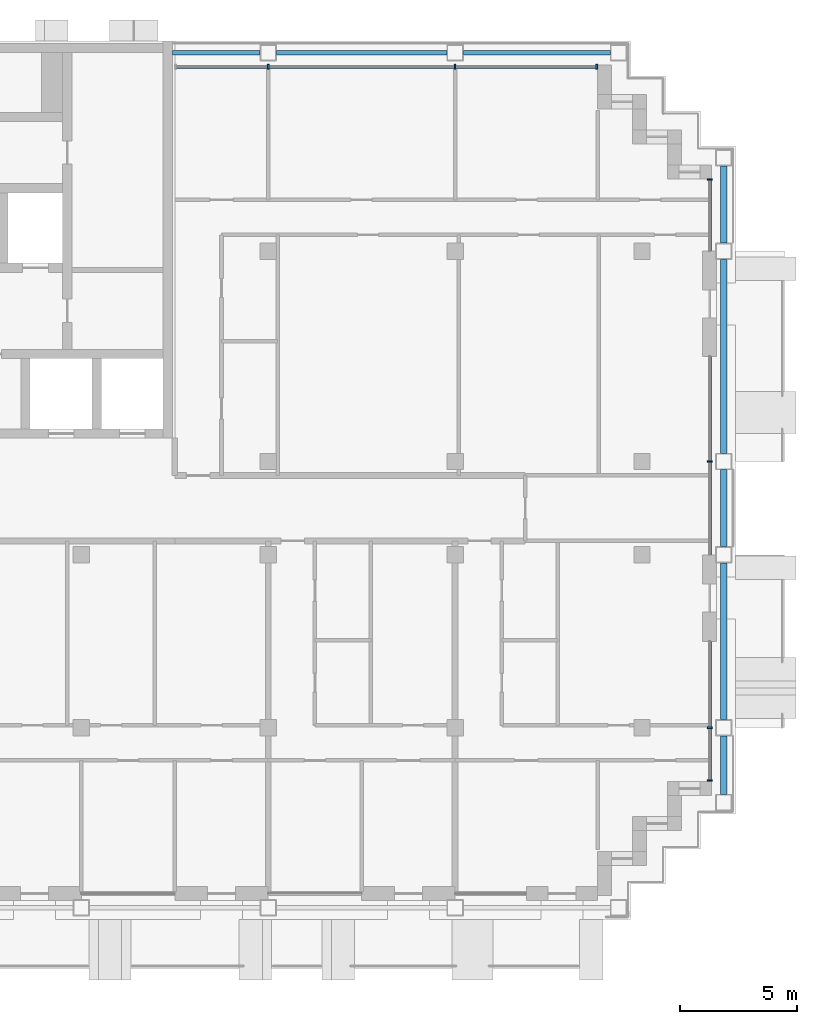
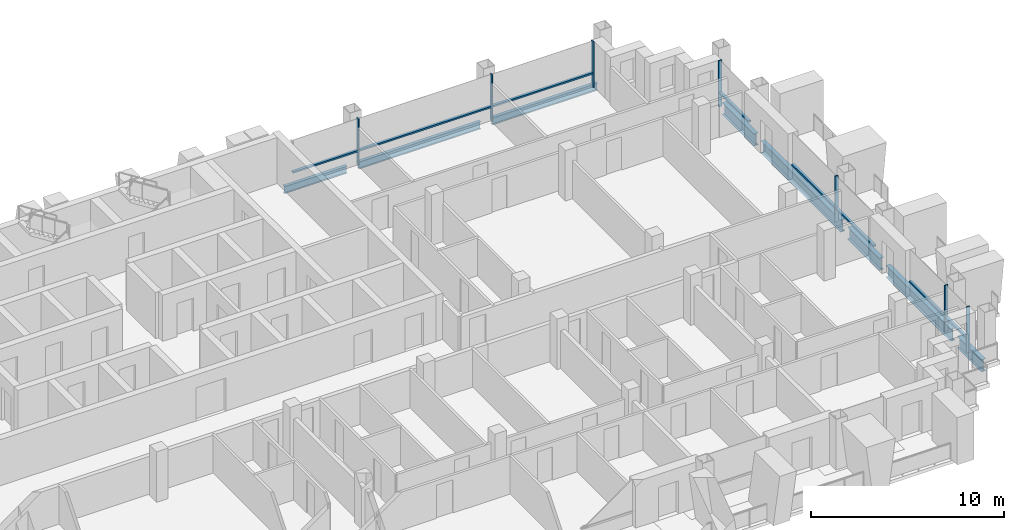
# One storey, part 5 of 16: 15 members, 8 beams, 4 elements without a shape of their own.
"""IFC4 building model written with IfcOpenShell, lengths in metres."""

from ifc_helpers import new_model, si_unit, direction, frame, origin, origin_2d, place, context, subcontext, project, spatial, rectangle, i_section, extrude, material, material_profile, profile_set, type_object, element, aggregate, save


model = new_model("IFC4")

# Units and contexts
model_context = context("Model", 3, precision=1e-05, world=origin(), true_north=direction((0.0, 1.0)))
body_context = subcontext(model_context, "Body", "Model", "MODEL_VIEW")
ifc_project = project(units=[si_unit("LENGTHUNIT", "METRE"), si_unit("AREAUNIT", "SQUARE_METRE"), si_unit("VOLUMEUNIT", "CUBIC_METRE"), si_unit("PLANEANGLEUNIT", "RADIAN"), si_unit("MASSUNIT", "GRAM", prefix="KILO")], contexts=[model_context])

# Site, building, storey
site_placement = place(None, origin())
site = spatial("IfcSite", under=ifc_project, at=site_placement, CompositionType="ELEMENT")
building_placement = place(site_placement, origin())
building = spatial("IfcBuilding", under=site, at=building_placement, Name="Vidyagriha Tower", CompositionType="ELEMENT")
storey_placement = place(building_placement, frame((0.0, 0.0, 178.10009765625)))
storey = spatial("IfcBuildingStorey", under=building, at=storey_placement, Name="L46", CompositionType="ELEMENT", Elevation=178.10009765625)

# Beams
ifc_material_1 = material(Name="Steel ASTM A992 Grade 50", Category="steel")
ifc_material_profile_1 = material_profile(ifc_material_1, i_section(OverallWidth=0.2666015625, OverallDepth=0.76953125, WebThickness=0.015625, FlangeThickness=0.025390625, at=origin_2d()), Name="W30X132")
ifc_profile_set_1 = profile_set([ifc_material_profile_1], Name="Steel ASTM A992 Grade 50")
beam_type_1 = type_object("IfcBeamType", Name="Cantilever edge beam W30X132", PredefinedType="SPANDREL", material=ifc_profile_set_1)
beam_1_placement = place(storey_placement, frame((37.5, -12.25, -0.664794921875), z_axis=(0.0, 1.0, 0.0), x_axis=(-1.0, 0.0, 0.0)))
element("IfcBeam", 1, at=beam_1_placement, inside=storey, type_object=beam_type_1, Name="st-beam-L46-E13", PredefinedType="SPANDREL", context=body_context, shape_type="SweptSolid", body=[
    extrude(i_section(OverallWidth=0.2666015625, OverallDepth=0.76953125, WebThickness=0.015625, FlangeThickness=0.025390625, at=origin_2d()), origin(), (0.0, 0.0, 1.0), 2.5),
])
beam_2_placement = place(storey_placement, frame((37.5, -9.050048828125, -0.664794921875), z_axis=(0.0, 1.0, 0.0), x_axis=(-1.0, 0.0, 0.0)))
element("IfcBeam", 2, at=beam_2_placement, inside=storey, type_object=beam_type_1, Name="st-beam-L46-E14", PredefinedType="SPANDREL", context=body_context, shape_type="SweptSolid", body=[
    extrude(i_section(OverallWidth=0.2666015625, OverallDepth=0.76953125, WebThickness=0.015625, FlangeThickness=0.025390625, at=origin_2d()), origin(), (0.0, 0.0, 1.0), 6.699951171875),
])
beam_3_placement = place(storey_placement, frame((37.5, -1.64990234375, -0.664794921875), z_axis=(0.0, 1.0, 0.0), x_axis=(-1.0, 0.0, 0.0)))
element("IfcBeam", 3, at=beam_3_placement, inside=storey, type_object=beam_type_1, Name="st-beam-L46-E15", PredefinedType="SPANDREL", context=body_context, shape_type="SweptSolid", body=[
    extrude(i_section(OverallWidth=0.2666015625, OverallDepth=0.76953125, WebThickness=0.015625, FlangeThickness=0.025390625, at=origin_2d()), origin(), (0.0, 0.0, 1.0), 3.2998046875),
])
beam_4_placement = place(storey_placement, frame((37.5, 2.35009765625, -0.664794921875), z_axis=(0.0, 1.0, 0.0), x_axis=(-1.0, 0.0, 0.0)))
element("IfcBeam", 4, at=beam_4_placement, inside=storey, type_object=beam_type_1, Name="st-beam-L46-E16", PredefinedType="SPANDREL", context=body_context, shape_type="SweptSolid", body=[
    extrude(i_section(OverallWidth=0.2666015625, OverallDepth=0.76953125, WebThickness=0.015625, FlangeThickness=0.025390625, at=origin_2d()), origin(), (0.0, 0.0, 1.0), 8.2998046875),
])
beam_5_placement = place(storey_placement, frame((37.5, 11.35009765625, -0.664794921875), z_axis=(0.0, 1.0, 0.0), x_axis=(-1.0, 0.0, 0.0)))
element("IfcBeam", 5, at=beam_5_placement, inside=storey, type_object=beam_type_1, Name="st-beam-L46-E17", PredefinedType="SPANDREL", context=body_context, shape_type="SweptSolid", body=[
    extrude(i_section(OverallWidth=0.2666015625, OverallDepth=0.76953125, WebThickness=0.015625, FlangeThickness=0.025390625, at=origin_2d()), origin(), (0.0, 0.0, 1.0), 3.2998046875),
])
ifc_material_2 = material(Name="Steel ASTM A992 Grade 50", Category="steel")
ifc_material_profile_2 = material_profile(ifc_material_2, i_section(OverallWidth=0.19189453125, OverallDepth=0.46240234375, WebThickness=0.010498046875, FlangeThickness=0.017578125, at=origin_2d()), Name="W18X60")
ifc_profile_set_2 = profile_set([ifc_material_profile_2], Name="Steel ASTM A992 Grade 50")
beam_type_2 = type_object("IfcBeamType", Name="Edge beam W18X60", PredefinedType="SPANDREL", material=ifc_profile_set_2)
beam_6_placement = place(storey_placement, frame((18.35009765625, 19.5, -0.51123046875), z_axis=(1.0, 0.0, 0.0), x_axis=(0.0, 1.0, 0.0)))
element("IfcBeam", 6, at=beam_6_placement, inside=storey, type_object=beam_type_2, Name="st-beam-L46-NE18", PredefinedType="SPANDREL", context=body_context, shape_type="SweptSolid", body=[
    extrude(i_section(OverallWidth=0.19189453125, OverallDepth=0.46240234375, WebThickness=0.010498046875, FlangeThickness=0.017578125, at=origin_2d()), origin(), (0.0, 0.0, 1.0), 7.2998046875),
])
beam_7_placement = place(storey_placement, frame((26.35009765625, 19.5, -0.51123046875), z_axis=(1.0, 0.0, 0.0), x_axis=(0.0, 1.0, 0.0)))
element("IfcBeam", 7, at=beam_7_placement, inside=storey, type_object=beam_type_2, Name="st-beam-L46-NE19", PredefinedType="SPANDREL", context=body_context, shape_type="SweptSolid", body=[
    extrude(i_section(OverallWidth=0.19189453125, OverallDepth=0.46240234375, WebThickness=0.010498046875, FlangeThickness=0.017578125, at=origin_2d()), origin(), (0.0, 0.0, 1.0), 6.2998046875),
])
beam_8_placement = place(storey_placement, frame((13.89990234375, 19.5, -0.51123046875), z_axis=(1.0, 0.0, 0.0), x_axis=(0.0, 1.0, 0.0)))
element("IfcBeam", 8, at=beam_8_placement, inside=storey, type_object=beam_type_2, Name="st-beam-L46-NC21", PredefinedType="SPANDREL", context=body_context, shape_type="SweptSolid", body=[
    extrude(i_section(OverallWidth=0.19189453125, OverallDepth=0.46240234375, WebThickness=0.010498046875, FlangeThickness=0.017578125, at=origin_2d()), origin(), (0.0, 0.0, 1.0), 3.75),
])

# Curtain wall, members
ifc_material_3 = material(Name="Aluminium and glass curtain wall", Category="aluminium")
curtain_wall_type = type_object("IfcCurtainWallType", Name="Dwelling skin unitised curtain wall", PredefinedType="USERDEFINED", material=ifc_material_3)
curtain_wall_1_placement = place(storey_placement, origin())
curtain_wall_1 = element("IfcCurtainWall", 9, at=curtain_wall_1_placement, inside=storey, type_object=curtain_wall_type, Name="CW1 dwelling skin", ObjectType="UNITISED", PredefinedType="USERDEFINED")
ifc_material_4 = material(Name="Aluminium black anodised", Category="aluminium")
ifc_material_profile_3 = material_profile(ifc_material_4, rectangle(XDim=0.199951171875, YDim=0.070068359375, at=origin_2d()), Name="Mullion 70x200 black aluminium")
ifc_profile_set_3 = profile_set([ifc_material_profile_3], Name="Aluminium black anodised")
member_type_1 = type_object("IfcMemberType", Name="Mullion 70x200 black aluminium", PredefinedType="MULLION", material=ifc_profile_set_3)
member_1_placement = place(storey_placement, frame((32.06494140625, 18.89990234375, 0.0), z_axis=(0.0, 0.0, 1.0), x_axis=(0.0, -1.0, 0.0)))
member_1 = element("IfcMember", 10, at=member_1_placement, type_object=member_type_1, Name="CW1 mullion 1", PredefinedType="MULLION", context=body_context, shape_type="SweptSolid", body=[
    extrude(rectangle(XDim=0.199951171875, YDim=0.070068359375, at=origin_2d()), origin(), (0.0, 0.0, 1.0), 2.919921875),
])
member_2_placement = place(storey_placement, frame((26.0, 18.89990234375, 0.0), z_axis=(0.0, 0.0, 1.0), x_axis=(0.0, -1.0, 0.0)))
member_2 = element("IfcMember", 11, at=member_2_placement, type_object=member_type_1, Name="CW1 mullion 2", PredefinedType="MULLION", context=body_context, shape_type="SweptSolid", body=[
    extrude(rectangle(XDim=0.199951171875, YDim=0.070068359375, at=origin_2d()), origin(), (0.0, 0.0, 1.0), 2.919921875),
])
member_3_placement = place(storey_placement, frame((18.0, 18.89990234375, 0.0), z_axis=(0.0, 0.0, 1.0), x_axis=(0.0, -1.0, 0.0)))
member_3 = element("IfcMember", 12, at=member_3_placement, type_object=member_type_1, Name="CW1 mullion 3", PredefinedType="MULLION", context=body_context, shape_type="SweptSolid", body=[
    extrude(rectangle(XDim=0.199951171875, YDim=0.070068359375, at=origin_2d()), origin(), (0.0, 0.0, 1.0), 2.919921875),
])

curtain_wall_2_placement = place(storey_placement, origin())
curtain_wall_2 = element("IfcCurtainWall", 13, at=curtain_wall_2_placement, inside=storey, type_object=curtain_wall_type, Name="CW1 dwelling skin", ObjectType="UNITISED", PredefinedType="USERDEFINED")
member_4_placement = place(storey_placement, frame((36.89990234375, -11.6650390625, 0.0), z_axis=(0.0, 0.0, 1.0), x_axis=(-1.0, 0.0, 0.0)))
member_4 = element("IfcMember", 14, at=member_4_placement, type_object=member_type_1, Name="CW1 mullion 1", PredefinedType="MULLION", context=body_context, shape_type="SweptSolid", body=[
    extrude(rectangle(XDim=0.199951171875, YDim=0.070068359375, at=origin_2d()), origin(), (0.0, 0.0, 1.0), 2.919921875),
])
member_5_placement = place(storey_placement, frame((36.89990234375, -9.39990234375, 0.0), z_axis=(0.0, 0.0, 1.0), x_axis=(-1.0, 0.0, 0.0)))
member_5 = element("IfcMember", 15, at=member_5_placement, type_object=member_type_1, Name="CW1 mullion 2", PredefinedType="MULLION", context=body_context, shape_type="SweptSolid", body=[
    extrude(rectangle(XDim=0.199951171875, YDim=0.070068359375, at=origin_2d()), origin(), (0.0, 0.0, 1.0), 2.919921875),
])

# Curtain wall, member
curtain_wall_3_placement = place(storey_placement, origin())
curtain_wall_3 = element("IfcCurtainWall", 16, at=curtain_wall_3_placement, inside=storey, type_object=curtain_wall_type, Name="CW1 dwelling skin", ObjectType="UNITISED", PredefinedType="USERDEFINED")
member_6_placement = place(storey_placement, frame((36.89990234375, 2.0, 0.0), z_axis=(0.0, 0.0, 1.0), x_axis=(-1.0, 0.0, 0.0)))
member_6 = element("IfcMember", 17, at=member_6_placement, type_object=member_type_1, Name="CW1 mullion 2", PredefinedType="MULLION", context=body_context, shape_type="SweptSolid", body=[
    extrude(rectangle(XDim=0.199951171875, YDim=0.070068359375, at=origin_2d()), origin(), (0.0, 0.0, 1.0), 2.919921875),
])

curtain_wall_4_placement = place(storey_placement, origin())
curtain_wall_4 = element("IfcCurtainWall", 18, at=curtain_wall_4_placement, inside=storey, type_object=curtain_wall_type, Name="CW1 dwelling skin", ObjectType="UNITISED", PredefinedType="USERDEFINED")
member_7_placement = place(storey_placement, frame((36.89990234375, 14.06494140625, 0.0), z_axis=(0.0, 0.0, 1.0), x_axis=(-1.0, 0.0, 0.0)))
member_7 = element("IfcMember", 19, at=member_7_placement, type_object=member_type_1, Name="CW1 mullion 2", PredefinedType="MULLION", context=body_context, shape_type="SweptSolid", body=[
    extrude(rectangle(XDim=0.199951171875, YDim=0.070068359375, at=origin_2d()), origin(), (0.0, 0.0, 1.0), 2.919921875),
])

# Member
ifc_material_5 = material(Name="Aluminium black anodised", Category="aluminium")
ifc_material_profile_4 = material_profile(ifc_material_5, rectangle(XDim=0.159912109375, YDim=0.10009765625, at=origin_2d()), Name="Transom 100x160 black aluminium")
ifc_profile_set_4 = profile_set([ifc_material_profile_4], Name="Aluminium black anodised")
member_type_2 = type_object("IfcMemberType", Name="Transom 100x160 black aluminium", PredefinedType="USERDEFINED", material=ifc_profile_set_4)
member_8_placement = place(storey_placement, frame((32.030029296875, 18.89990234375, 0.89990234375), z_axis=(-1.0, 0.0, 0.0), x_axis=(0.0, -1.0, 0.0)))
member_8 = element("IfcMember", 20, at=member_8_placement, type_object=member_type_2, Name="CW1 transom 1.1", ObjectType="TRANSOM", PredefinedType="USERDEFINED", context=body_context, shape_type="SweptSolid", body=[
    extrude(rectangle(XDim=0.159912109375, YDim=0.10009765625, at=origin_2d()), origin(), (0.0, 0.0, 1.0), 5.9951171875),
])

member_9_placement = place(storey_placement, frame((25.965087890625, 18.89990234375, 0.89990234375), z_axis=(-1.0, 0.0, 0.0), x_axis=(0.0, -1.0, 0.0)))
member_9 = element("IfcMember", 21, at=member_9_placement, type_object=member_type_2, Name="CW1 transom 2.1", ObjectType="TRANSOM", PredefinedType="USERDEFINED", context=body_context, shape_type="SweptSolid", body=[
    extrude(rectangle(XDim=0.159912109375, YDim=0.10009765625, at=origin_2d()), origin(), (0.0, 0.0, 1.0), 7.93017578125),
])

member_10_placement = place(storey_placement, frame((17.965087890625, 18.89990234375, 0.89990234375), z_axis=(-1.0, 0.0, 0.0), x_axis=(0.0, -1.0, 0.0)))
member_10 = element("IfcMember", 22, at=member_10_placement, type_object=member_type_2, Name="CW1 transom 3.1", ObjectType="TRANSOM", PredefinedType="USERDEFINED", context=body_context, shape_type="SweptSolid", body=[
    extrude(rectangle(XDim=0.159912109375, YDim=0.10009765625, at=origin_2d()), origin(), (0.0, 0.0, 1.0), 3.89501953125),
])

aggregate(curtain_wall_1, [member_1, member_2, member_3, member_8, member_9, member_10])

member_11_placement = place(storey_placement, frame((36.89990234375, -11.6298828125, 0.89990234375), z_axis=(0.0, 1.0, 0.0), x_axis=(-1.0, 0.0, 0.0)))
member_11 = element("IfcMember", 23, at=member_11_placement, type_object=member_type_2, Name="CW1 transom 1.1", ObjectType="TRANSOM", PredefinedType="USERDEFINED", context=body_context, shape_type="SweptSolid", body=[
    extrude(rectangle(XDim=0.159912109375, YDim=0.10009765625, at=origin_2d()), origin(), (0.0, 0.0, 1.0), 2.19482421875),
])

member_12_placement = place(storey_placement, frame((36.89990234375, -9.364990234375, 0.89990234375), z_axis=(0.0, 1.0, 0.0), x_axis=(-1.0, 0.0, 0.0)))
member_12 = element("IfcMember", 24, at=member_12_placement, type_object=member_type_2, Name="CW1 transom 2.1", ObjectType="TRANSOM", PredefinedType="USERDEFINED", context=body_context, shape_type="SweptSolid", body=[
    extrude(rectangle(XDim=0.159912109375, YDim=0.10009765625, at=origin_2d()), origin(), (0.0, 0.0, 1.0), 3.6650390625),
])

aggregate(curtain_wall_2, [member_4, member_5, member_11, member_12])

member_13_placement = place(storey_placement, frame((36.89990234375, -2.0, 0.89990234375), z_axis=(0.0, 1.0, 0.0), x_axis=(-1.0, 0.0, 0.0)))
member_13 = element("IfcMember", 25, at=member_13_placement, type_object=member_type_2, Name="CW1 transom 1.1", ObjectType="TRANSOM", PredefinedType="USERDEFINED", context=body_context, shape_type="SweptSolid", body=[
    extrude(rectangle(XDim=0.159912109375, YDim=0.10009765625, at=origin_2d()), origin(), (0.0, 0.0, 1.0), 3.965087890625),
])

member_14_placement = place(storey_placement, frame((36.89990234375, 2.034912109375, 0.89990234375), z_axis=(0.0, 1.0, 0.0), x_axis=(-1.0, 0.0, 0.0)))
member_14 = element("IfcMember", 26, at=member_14_placement, type_object=member_type_2, Name="CW1 transom 2.1", ObjectType="TRANSOM", PredefinedType="USERDEFINED", context=body_context, shape_type="SweptSolid", body=[
    extrude(rectangle(XDim=0.159912109375, YDim=0.10009765625, at=origin_2d()), origin(), (0.0, 0.0, 1.0), 4.465087890625),
])

aggregate(curtain_wall_3, [member_6, member_13, member_14])

member_15_placement = place(storey_placement, frame((36.89990234375, 11.0, 0.89990234375), z_axis=(0.0, 1.0, 0.0), x_axis=(-1.0, 0.0, 0.0)))
member_15 = element("IfcMember", 27, at=member_15_placement, type_object=member_type_2, Name="CW1 transom 1.1", ObjectType="TRANSOM", PredefinedType="USERDEFINED", context=body_context, shape_type="SweptSolid", body=[
    extrude(rectangle(XDim=0.159912109375, YDim=0.10009765625, at=origin_2d()), origin(), (0.0, 0.0, 1.0), 3.030029296875),
])

aggregate(curtain_wall_4, [member_7, member_15])

save(model, "model.ifc")
